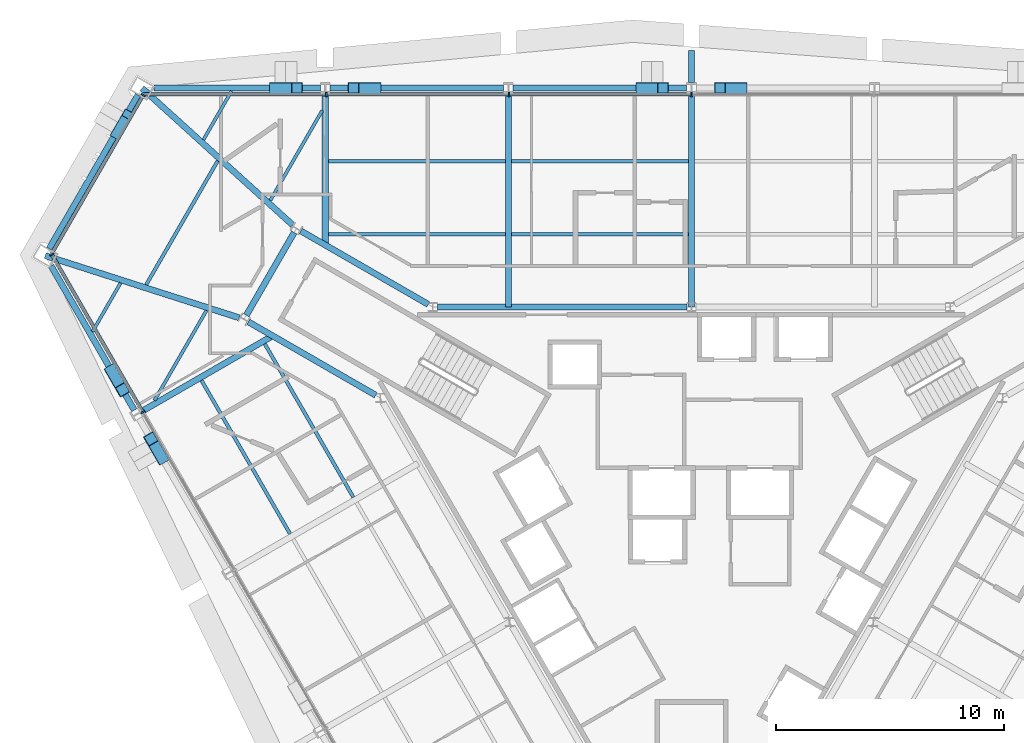
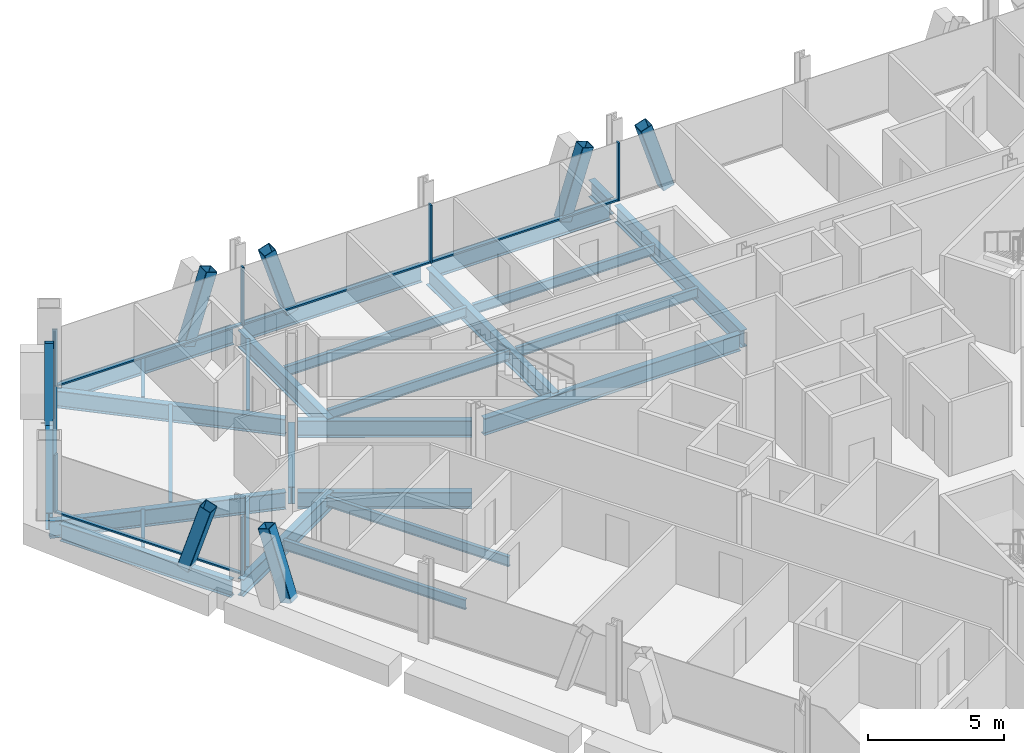
# One storey, part 6 of 16: 27 beams, 18 members, 3 elements without a shape of their own.
"""IFC4 building model written with IfcOpenShell, lengths in metres."""

from ifc_helpers import new_model, si_unit, direction, frame, origin, origin_2d, place, context, subcontext, project, spatial, rectangle, hollow_rectangle, i_section, extrude, material, material_profile, profile_set, type_object, element, aggregate, save


model = new_model("IFC4")

# Units and contexts
model_context = context("Model", 3, precision=1e-05, world=origin(), true_north=direction((0.0, 1.0)))
body_context = subcontext(model_context, "Body", "Model", "MODEL_VIEW")
ifc_project = project(units=[si_unit("LENGTHUNIT", "METRE"), si_unit("AREAUNIT", "SQUARE_METRE"), si_unit("VOLUMEUNIT", "CUBIC_METRE"), si_unit("PLANEANGLEUNIT", "RADIAN"), si_unit("MASSUNIT", "GRAM", prefix="KILO")], contexts=[model_context])

# Site, building, storey
site_placement = place(None, origin())
site = spatial("IfcSite", under=ifc_project, at=site_placement, CompositionType="ELEMENT")
building_placement = place(site_placement, origin())
building = spatial("IfcBuilding", under=site, at=building_placement, Name="Verrane Prism Tower", CompositionType="ELEMENT")
storey_placement = place(building_placement, frame((0.0, 0.0, 110.800048828125)))
storey = spatial("IfcBuildingStorey", under=building, at=storey_placement, Name="L26", CompositionType="ELEMENT", Elevation=110.800048828125)

# Member
ifc_material_1 = material(Name="Steel A500 Grade C", Category="steel")
ifc_material_profile_1 = material_profile(ifc_material_1, hollow_rectangle(XDim=0.355712890625, YDim=0.355712890625, WallThickness=0.0126953125, InnerFilletRadius=0.00634765625, OuterFilletRadius=0.01904296875, at=origin_2d()), Name="HSS14x14x1/2")
ifc_profile_set_1 = profile_set([ifc_material_profile_1], Name="Steel A500 Grade C")
member_type_1 = type_object("IfcMemberType", Name="Chamfer brace HSS14x14x1/2", PredefinedType="BRACE", material=ifc_profile_set_1)
member_1_placement = place(storey_placement, frame((-25.231201171875, 16.77978515625, -0.2451171875), z_axis=(0.159496476686, 0.276075302399, 0.947809738993), x_axis=(-0.865883682865, 0.500245387533, 0.0)))
element("IfcMember", 1, at=member_1_placement, inside=storey, type_object=member_type_1, Name="Chamfer brace NW0 L26", PredefinedType="BRACE", context=body_context, shape_type="SweptSolid", body=[
    extrude(hollow_rectangle(XDim=0.355712890625, YDim=0.355712890625, WallThickness=0.0126953125, InnerFilletRadius=0.00634765625, OuterFilletRadius=0.01904296875, at=origin_2d()), origin(), (0.0, 0.0, 1.0), 3.16845703125),
])

# Beams
ifc_material_2 = material(Name="Steel A992", Category="steel")
ifc_material_profile_2 = material_profile(ifc_material_2, i_section(OverallWidth=0.2666015625, OverallDepth=0.76708984375, WebThickness=0.014892578125, FlangeThickness=0.023681640625, FilletRadius=0.0166015625, at=origin_2d()), Name="W30x124")
ifc_profile_set_2 = profile_set([ifc_material_profile_2], Name="Steel A992")
beam_type_1 = type_object("IfcBeamType", Name="Chamfer spandrel beam W30x124", PredefinedType="SPANDREL", material=ifc_profile_set_2)
beam_1_placement = place(storey_placement, frame((-24.2451171875, 18.48681640625, -0.54345703125), z_axis=(-0.500214307011, -0.865901638214, 0.0), x_axis=(0.865901638214, -0.500214307011, 0.0)))
element("IfcBeam", 2, at=beam_1_placement, inside=storey, type_object=beam_type_1, Name="Chamfer spandrel beam L26", PredefinedType="SPANDREL", context=body_context, shape_type="SweptSolid", body=[
    extrude(i_section(OverallWidth=0.2666015625, OverallDepth=0.76708984375, WebThickness=0.014892578125, FlangeThickness=0.023681640625, FilletRadius=0.0166015625, at=origin_2d()), origin(), (0.0, 0.0, 1.0), 7.7763671875),
])
ifc_material_3 = material(Name="Steel A992", Category="steel")
ifc_material_profile_3 = material_profile(ifc_material_3, i_section(OverallWidth=0.2666015625, OverallDepth=0.7568359375, WebThickness=0.013916015625, FlangeThickness=0.019287109375, FilletRadius=0.0166015625, at=origin_2d()), Name="W30x108")
ifc_profile_set_3 = profile_set([ifc_material_profile_3], Name="Steel A992")
beam_type_2 = type_object("IfcBeamType", Name="Core ring girder W30x108", PredefinedType="BEAM", material=ifc_profile_set_3)
beam_2_placement = place(storey_placement, frame((-0.20068359375, 9.199951171875, -0.628662109375), z_axis=(-1.0, 0.0, 0.0), x_axis=(0.0, -1.0, 0.0)))
element("IfcBeam", 3, at=beam_2_placement, inside=storey, type_object=beam_type_2, Name="Core ring girder L26", PredefinedType="BEAM", context=body_context, shape_type="SweptSolid", body=[
    extrude(i_section(OverallWidth=0.2666015625, OverallDepth=0.7568359375, WebThickness=0.013916015625, FlangeThickness=0.019287109375, FilletRadius=0.0166015625, at=origin_2d()), origin(), (0.0, 0.0, 1.0), 10.9287109375),
])
beam_3_placement = place(storey_placement, frame((-11.53076171875, 9.315673828125, -0.628662109375), z_axis=(-0.866455532004, 0.499254254924, 0.0), x_axis=(-0.499254254924, -0.866455532004, 0.0)))
element("IfcBeam", 4, at=beam_3_placement, inside=storey, type_object=beam_type_2, Name="Core ring girder L26", PredefinedType="BEAM", context=body_context, shape_type="SweptSolid", body=[
    extrude(i_section(OverallWidth=0.2666015625, OverallDepth=0.7568359375, WebThickness=0.013916015625, FlangeThickness=0.019287109375, FilletRadius=0.0166015625, at=origin_2d()), origin(), (0.0, 0.0, 1.0), 6.441162109375),
])
beam_4_placement = place(storey_placement, frame((-17.40283203125, 12.4619140625, -0.628662109375), z_axis=(-0.500367003619, -0.865813410435, 0.0), x_axis=(0.865813410435, -0.500367003619, 0.0)))
element("IfcBeam", 5, at=beam_4_placement, inside=storey, type_object=beam_type_2, Name="Core ring girder L26", PredefinedType="BEAM", context=body_context, shape_type="SweptSolid", body=[
    extrude(i_section(OverallWidth=0.2666015625, OverallDepth=0.7568359375, WebThickness=0.013916015625, FlangeThickness=0.019287109375, FilletRadius=0.0166015625, at=origin_2d()), origin(), (0.0, 0.0, 1.0), 4.185302734375),
])
beam_5_placement = place(storey_placement, frame((-19.411865234375, 8.551513671875, -0.628662109375), z_axis=(0.866455532004, -0.499254254924, 0.0), x_axis=(0.499254254924, 0.866455532004, 0.0)))
element("IfcBeam", 6, at=beam_5_placement, inside=storey, type_object=beam_type_2, Name="Core ring girder L26", PredefinedType="BEAM", context=body_context, shape_type="SweptSolid", body=[
    extrude(i_section(OverallWidth=0.2666015625, OverallDepth=0.7568359375, WebThickness=0.013916015625, FlangeThickness=0.019287109375, FilletRadius=0.0166015625, at=origin_2d()), origin(), (0.0, 0.0, 1.0), 6.441162109375),
])
ifc_material_4 = material(Name="Steel A992", Category="steel")
ifc_material_profile_4 = material_profile(ifc_material_4, i_section(OverallWidth=0.2666015625, OverallDepth=0.76708984375, WebThickness=0.014892578125, FlangeThickness=0.023681640625, FilletRadius=0.0166015625, at=origin_2d()), Name="W30x124")
ifc_profile_set_4 = profile_set([ifc_material_profile_4], Name="Steel A992")
beam_type_3 = type_object("IfcBeamType", Name="Corner girder W30x124", PredefinedType="BEAM", material=ifc_profile_set_4)
beam_6_placement = place(storey_placement, frame((-24.068115234375, 18.788330078125, -0.603515625), z_axis=(0.740172818675, -0.67241668517, 0.0), x_axis=(0.67241668517, 0.740172818675, 0.0)))
element("IfcBeam", 7, at=beam_6_placement, inside=storey, type_object=beam_type_3, Name="Corner girder L26", PredefinedType="BEAM", context=body_context, shape_type="SweptSolid", body=[
    extrude(i_section(OverallWidth=0.2666015625, OverallDepth=0.76708984375, WebThickness=0.014892578125, FlangeThickness=0.023681640625, FilletRadius=0.0166015625, at=origin_2d()), origin(), (0.0, 0.0, 1.0), 8.921630859375),
])
beam_7_placement = place(storey_placement, frame((-28.3056640625, 11.448486328125, -0.603515625), z_axis=(0.952340206189, -0.305037918423, 0.0), x_axis=(0.305037918423, 0.952340206189, 0.0)))
element("IfcBeam", 8, at=beam_7_placement, inside=storey, type_object=beam_type_3, Name="Corner girder L26", PredefinedType="BEAM", context=body_context, shape_type="SweptSolid", body=[
    extrude(i_section(OverallWidth=0.2666015625, OverallDepth=0.76708984375, WebThickness=0.014892578125, FlangeThickness=0.023681640625, FilletRadius=0.0166015625, at=origin_2d()), origin(), (0.0, 0.0, 1.0), 8.919189453125),
])

# Members
ifc_material_5 = material(Name="Steel A1085 Grade A", Category="steel")
ifc_material_profile_5 = material_profile(ifc_material_5, hollow_rectangle(XDim=0.508056640625, YDim=0.508056640625, WallThickness=0.025390625, InnerFilletRadius=0.0126953125, OuterFilletRadius=0.0380859375, at=origin_2d()), Name="HSS20x20x1")
ifc_profile_set_5 = profile_set([ifc_material_profile_5], Name="Steel A1085 Grade A")
member_type_2 = type_object("IfcMemberType", Name="Facade brace HSS20x20x1", PredefinedType="BRACE", material=ifc_profile_set_5)
for number, where, z_axis, x_axis, name in (
    (9, (2.197265625, 18.7900390625, -0.24267578125), (-0.303229193565, 0.0, 0.952917654454), (0.0, -1.0, 0.0), "Facade brace N2 L26"),
    (10, (-2.197265625, 18.7900390625, -0.24267578125), (0.303229193565, 0.0, 0.952917654454), (0.0, 1.0, 0.0), "Facade brace N3 L26"),
    (11, (-13.8427734375, 18.7900390625, -0.24267578125), (-0.303229193565, 0.0, 0.952917654454), (0.0, -1.0, 0.0), "Facade brace N4 L26"),
):
    element("IfcMember", number, at=place(storey_placement, frame(where, z_axis=z_axis, x_axis=x_axis)), inside=storey, type_object=member_type_2, Name=name, PredefinedType="BRACE", context=body_context, shape_type="SweptSolid", body=[
        extrude(hollow_rectangle(XDim=0.508056640625, YDim=0.508056640625, WallThickness=0.025390625, InnerFilletRadius=0.0126953125, OuterFilletRadius=0.0380859375, at=origin_2d()), origin(), (0.0, 0.0, 1.0), 3.156982421875),
    ])
member_2_placement = place(storey_placement, frame((-18.239990234375, 18.7900390625, -0.24267578125), z_axis=(0.303580251273, 0.0, 0.952805872692), x_axis=(0.0, 1.0, 0.0)))
element("IfcMember", 12, at=member_2_placement, inside=storey, type_object=member_type_2, Name="Facade brace N5 L26", PredefinedType="BRACE", context=body_context, shape_type="SweptSolid", body=[
    extrude(hollow_rectangle(XDim=0.508056640625, YDim=0.508056640625, WallThickness=0.025390625, InnerFilletRadius=0.0126953125, OuterFilletRadius=0.0380859375, at=origin_2d()), origin(), (0.0, 0.0, 1.0), 3.1572265625),
])
member_3_placement = place(storey_placement, frame((-25.398681640625, 6.404052734375, -0.24267578125), z_axis=(0.151645245186, -0.262769272383, 0.952867267306), x_axis=(0.866117682712, 0.499840134137, 0.0)))
element("IfcMember", 13, at=member_3_placement, inside=storey, type_object=member_type_2, Name="Facade brace SW0 L26", PredefinedType="BRACE", context=body_context, shape_type="SweptSolid", body=[
    extrude(hollow_rectangle(XDim=0.508056640625, YDim=0.508056640625, WallThickness=0.025390625, InnerFilletRadius=0.0126953125, OuterFilletRadius=0.0380859375, at=origin_2d()), origin(), (0.0, 0.0, 1.0), 3.156982421875),
])
member_4_placement = place(storey_placement, frame((-23.198486328125, 2.595947265625, -0.24267578125), z_axis=(-0.152022973203, 0.262753846869, 0.952811330524), x_axis=(-0.865565771003, -0.500795263623, 0.0)))
element("IfcMember", 14, at=member_4_placement, inside=storey, type_object=member_type_2, Name="Facade brace SW1 L26", PredefinedType="BRACE", context=body_context, shape_type="SweptSolid", body=[
    extrude(hollow_rectangle(XDim=0.508056640625, YDim=0.508056640625, WallThickness=0.025390625, InnerFilletRadius=0.0126953125, OuterFilletRadius=0.0380859375, at=origin_2d()), origin(), (0.0, 0.0, 1.0), 3.1572265625),
])

# Beams
ifc_material_6 = material(Name="Steel A992", Category="steel")
ifc_material_profile_6 = material_profile(ifc_material_6, i_section(OverallWidth=0.140380859375, OverallDepth=0.40380859375, WebThickness=0.007080078125, FlangeThickness=0.01123046875, FilletRadius=0.01025390625, at=origin_2d()), Name="W16x31")
ifc_profile_set_6 = profile_set([ifc_material_profile_6], Name="Steel A992")
beam_type_4 = type_object("IfcBeamType", Name="Floor beam W16x31", PredefinedType="BEAM", material=ifc_profile_set_6)
beam_8_placement = place(storey_placement, frame((-18.4501953125, 13.864990234375, -0.362060546875), z_axis=(0.500008678503, 0.86602039319, 0.0), x_axis=(-0.86602039319, 0.500008678503, 0.0)))
element("IfcBeam", 15, at=beam_8_placement, inside=storey, type_object=beam_type_4, Name="Floor beam L26", PredefinedType="BEAM", context=body_context, shape_type="SweptSolid", body=[
    extrude(i_section(OverallWidth=0.140380859375, OverallDepth=0.40380859375, WebThickness=0.007080078125, FlangeThickness=0.01123046875, FilletRadius=0.01025390625, at=origin_2d()), origin(), (0.0, 0.0, 1.0), 4.55322265625),
])
beam_9_placement = place(storey_placement, frame((-21.37744140625, 16.5244140625, -0.362060546875), z_axis=(0.500000007376, 0.866025399526, 0.0), x_axis=(-0.866025399526, 0.500000007376, 0.0)))
element("IfcBeam", 16, at=beam_9_placement, inside=storey, type_object=beam_type_4, Name="Floor beam L26", PredefinedType="BEAM", context=body_context, shape_type="SweptSolid", body=[
    extrude(i_section(OverallWidth=0.140380859375, OverallDepth=0.40380859375, WebThickness=0.007080078125, FlangeThickness=0.01123046875, FilletRadius=0.01025390625, at=origin_2d()), origin(), (0.0, 0.0, 1.0), 2.4619140625),
])
beam_10_placement = place(storey_placement, frame((-23.5205078125, 5.104736328125, -0.362060546875), z_axis=(0.500004125498, 0.866023021914, 0.0), x_axis=(-0.866023021914, 0.500004125498, 0.0)))
element("IfcBeam", 17, at=beam_10_placement, inside=storey, type_object=beam_type_4, Name="Floor beam L26", PredefinedType="BEAM", context=body_context, shape_type="SweptSolid", body=[
    extrude(i_section(OverallWidth=0.140380859375, OverallDepth=0.40380859375, WebThickness=0.007080078125, FlangeThickness=0.01123046875, FilletRadius=0.01025390625, at=origin_2d()), origin(), (0.0, 0.0, 1.0), 4.5517578125),
])
beam_11_placement = place(storey_placement, frame((-26.23583984375, 8.122314453125, -0.362060546875), z_axis=(0.500026134388, 0.866010314562, 0.0), x_axis=(-0.866010314562, 0.500026134388, 0.0)))
element("IfcBeam", 18, at=beam_11_placement, inside=storey, type_object=beam_type_4, Name="Floor beam L26", PredefinedType="BEAM", context=body_context, shape_type="SweptSolid", body=[
    extrude(i_section(OverallWidth=0.140380859375, OverallDepth=0.40380859375, WebThickness=0.007080078125, FlangeThickness=0.01123046875, FilletRadius=0.01025390625, at=origin_2d()), origin(), (0.0, 0.0, 1.0), 2.458740234375),
])
ifc_material_7 = material(Name="Steel A992", Category="steel")
ifc_material_profile_7 = material_profile(ifc_material_7, i_section(OverallWidth=0.15234375, OverallDepth=0.449462890625, WebThickness=0.007568359375, FlangeThickness=0.0107421875, FilletRadius=0.01025390625, at=origin_2d()), Name="W18x35")
ifc_profile_set_7 = profile_set([ifc_material_profile_7], Name="Steel A992")
beam_type_5 = type_object("IfcBeamType", Name="Floor beam W18x35", PredefinedType="BEAM", material=ifc_profile_set_7)
for number, where, z_axis, x_axis, name in (
    (19, (-7.886474609375, 12.396728515625, -0.384765625), (1.0, 0.0, 0.0), (0.0, 1.0, 0.0), "Floor beam L26"),
    (20, (-7.886474609375, 15.59326171875, -0.384765625), (1.0, 0.0, 0.0), (0.0, 1.0, 0.0), "Floor beam L26"),
    (21, (-15.906494140625, 12.396728515625, -0.384765625), (1.0, 0.0, 0.0), (0.0, 1.0, 0.0), "Floor beam L26"),
    (22, (-15.906494140625, 15.59326171875, -0.384765625), (1.0, 0.0, 0.0), (0.0, 1.0, 0.0), "Floor beam L26"),
):
    element("IfcBeam", number, at=place(storey_placement, frame(where, z_axis=z_axis, x_axis=x_axis)), inside=storey, type_object=beam_type_5, Name=name, PredefinedType="BEAM", context=body_context, shape_type="SweptSolid", body=[
        extrude(i_section(OverallWidth=0.15234375, OverallDepth=0.449462890625, WebThickness=0.007568359375, FlangeThickness=0.0107421875, FilletRadius=0.01025390625, at=origin_2d()), origin(), (0.0, 0.0, 1.0), 7.7529296875),
    ])
beam_12_placement = place(storey_placement, frame((-14.80859375, 0.864501953125, -0.384765625), z_axis=(-0.500014594887, 0.866016977259, 0.0), x_axis=(-0.866016977259, -0.500014594887, 0.0)))
element("IfcBeam", 23, at=beam_12_placement, inside=storey, type_object=beam_type_5, Name="Floor beam L26", PredefinedType="BEAM", context=body_context, shape_type="SweptSolid", body=[
    extrude(i_section(OverallWidth=0.15234375, OverallDepth=0.449462890625, WebThickness=0.007568359375, FlangeThickness=0.0107421875, FilletRadius=0.01025390625, at=origin_2d()), origin(), (0.0, 0.0, 1.0), 7.764404296875),
])
beam_13_placement = place(storey_placement, frame((-17.58056640625, -0.736572265625, -0.384765625), z_axis=(-0.499974721637, 0.866039997762, 0.0), x_axis=(-0.866039997762, -0.499974721637, 0.0)))
element("IfcBeam", 24, at=beam_13_placement, inside=storey, type_object=beam_type_5, Name="Floor beam L26", PredefinedType="BEAM", context=body_context, shape_type="SweptSolid", body=[
    extrude(i_section(OverallWidth=0.15234375, OverallDepth=0.449462890625, WebThickness=0.007568359375, FlangeThickness=0.0107421875, FilletRadius=0.01025390625, at=origin_2d()), origin(), (0.0, 0.0, 1.0), 7.76318359375),
])
beam_14_placement = place(storey_placement, frame((-23.8857421875, 10.173095703125, -0.384765625), z_axis=(0.50001262068, 0.866018117109, 0.0), x_axis=(-0.866018117109, 0.50001262068, 0.0)))
element("IfcBeam", 25, at=beam_14_placement, inside=storey, type_object=beam_type_5, Name="Floor beam L26", PredefinedType="BEAM", context=body_context, shape_type="SweptSolid", body=[
    extrude(i_section(OverallWidth=0.15234375, OverallDepth=0.449462890625, WebThickness=0.007568359375, FlangeThickness=0.0107421875, FilletRadius=0.01025390625, at=origin_2d()), origin(), (0.0, 0.0, 1.0), 6.263427734375),
])

# Curtain wall, members
ifc_material_8 = material(Name="Aluminium framed insulated glazing", Category="aluminium")
curtain_wall_type = type_object("IfcCurtainWallType", Name="Curtain wall CW-A 8400 module", PredefinedType="NOTDEFINED", material=ifc_material_8)
curtain_wall_1_placement = place(storey_placement, origin())
curtain_wall_1 = element("IfcCurtainWall", 26, at=curtain_wall_1_placement, inside=storey, type_object=curtain_wall_type, Name="Glazed curtain wall north face L26", PredefinedType="NOTDEFINED")
ifc_material_9 = material(Name="Aluminium alloy 6063-T6", Category="aluminium")
ifc_material_profile_8 = material_profile(ifc_material_9, rectangle(XDim=0.199951171875, YDim=0.070068359375, at=origin_2d()), Name="Mullion 70x200 aluminium")
ifc_profile_set_8 = profile_set([ifc_material_profile_8], Name="Aluminium alloy 6063-T6")
member_type_3 = type_object("IfcMemberType", Name="Mullion 70x200 aluminium", PredefinedType="MULLION", material=ifc_profile_set_8)
member_5_placement = place(storey_placement, frame((0.0, 18.510986328125, 0.0), z_axis=(0.0, 0.0, 1.0), x_axis=(0.0, -1.0, 0.0)))
member_5 = element("IfcMember", 27, at=member_5_placement, type_object=member_type_3, Name="CW24.2 mullion 4", PredefinedType="MULLION", context=body_context, shape_type="SweptSolid", body=[
    extrude(rectangle(XDim=0.199951171875, YDim=0.070068359375, at=origin_2d()), origin(), (0.0, 0.0, 1.0), 2.61279296875),
])
member_6_placement = place(storey_placement, frame((-7.998046875, 18.510986328125, 0.0), z_axis=(0.0, 0.0, 1.0), x_axis=(0.0, -1.0, 0.0)))
member_6 = element("IfcMember", 28, at=member_6_placement, type_object=member_type_3, Name="CW24.2 mullion 5", PredefinedType="MULLION", context=body_context, shape_type="SweptSolid", body=[
    extrude(rectangle(XDim=0.199951171875, YDim=0.070068359375, at=origin_2d()), origin(), (0.0, 0.0, 1.0), 2.61279296875),
])
member_7_placement = place(storey_placement, frame((-15.99609375, 18.510986328125, 0.0), z_axis=(0.0, 0.0, 1.0), x_axis=(0.0, -1.0, 0.0)))
member_7 = element("IfcMember", 29, at=member_7_placement, type_object=member_type_3, Name="CW24.2 mullion 6", PredefinedType="MULLION", context=body_context, shape_type="SweptSolid", body=[
    extrude(rectangle(XDim=0.199951171875, YDim=0.070068359375, at=origin_2d()), origin(), (0.0, 0.0, 1.0), 2.61279296875),
])

# Curtain wall, member
curtain_wall_2_placement = place(storey_placement, origin())
curtain_wall_2 = element("IfcCurtainWall", 30, at=curtain_wall_2_placement, inside=storey, type_object=curtain_wall_type, Name="Glazed curtain wall north-west corner L26", PredefinedType="NOTDEFINED")
member_8_placement = place(storey_placement, frame((-24.01171875, 18.480712890625, 0.0), z_axis=(0.0, 0.0, 1.0), x_axis=(0.866027890405, -0.499995693021, 0.0)))
member_8 = element("IfcMember", 31, at=member_8_placement, type_object=member_type_3, Name="CW24.3 mullion 1", PredefinedType="MULLION", context=body_context, shape_type="SweptSolid", body=[
    extrude(rectangle(XDim=0.199951171875, YDim=0.070068359375, at=origin_2d()), origin(), (0.0, 0.0, 1.0), 2.61279296875),
])

# Curtain wall, members
curtain_wall_3_placement = place(storey_placement, origin())
curtain_wall_3 = element("IfcCurtainWall", 32, at=curtain_wall_3_placement, inside=storey, type_object=curtain_wall_type, Name="Glazed curtain wall south-west face L26", PredefinedType="NOTDEFINED")
member_9_placement = place(storey_placement, frame((-28.010498046875, 11.49365234375, 0.0), z_axis=(0.0, 0.0, 1.0), x_axis=(0.866025402318, 0.500000002539, 0.0)))
member_9 = element("IfcMember", 33, at=member_9_placement, type_object=member_type_3, Name="CW24.4 mullion 1", PredefinedType="MULLION", context=body_context, shape_type="SweptSolid", body=[
    extrude(rectangle(XDim=0.199951171875, YDim=0.070068359375, at=origin_2d()), origin(), (0.0, 0.0, 1.0), 2.61279296875),
])
member_10_placement = place(storey_placement, frame((-24.029052734375, 4.597412109375, 0.0), z_axis=(0.0, 0.0, 1.0), x_axis=(0.866025402318, 0.500000002539, 0.0)))
member_10 = element("IfcMember", 34, at=member_10_placement, type_object=member_type_3, Name="CW24.4 mullion 2", PredefinedType="MULLION", context=body_context, shape_type="SweptSolid", body=[
    extrude(rectangle(XDim=0.199951171875, YDim=0.070068359375, at=origin_2d()), origin(), (0.0, 0.0, 1.0), 2.61279296875),
])

# Beams
ifc_material_10 = material(Name="Steel A992", Category="steel")
ifc_material_profile_9 = material_profile(ifc_material_10, i_section(OverallWidth=0.2666015625, OverallDepth=0.76708984375, WebThickness=0.014892578125, FlangeThickness=0.023681640625, FilletRadius=0.0166015625, at=origin_2d()), Name="W30x124")
ifc_profile_set_9 = profile_set([ifc_material_profile_9], Name="Steel A992")
beam_type_6 = type_object("IfcBeamType", Name="Radial girder W30x124", PredefinedType="BEAM", material=ifc_profile_set_9)
for number, where, z_axis, x_axis, name in (
    (35, (0.0, 18.552490234375, -0.603515625), (0.0, -1.0, 0.0), (1.0, 0.0, 0.0), "Radial girder L26"),
    (36, (-8.02001953125, 18.552490234375, -0.603515625), (0.0, -1.0, 0.0), (1.0, 0.0, 0.0), "Radial girder L26"),
):
    element("IfcBeam", number, at=place(storey_placement, frame(where, z_axis=z_axis, x_axis=x_axis)), inside=storey, type_object=beam_type_6, Name=name, PredefinedType="BEAM", context=body_context, shape_type="SweptSolid", body=[
        extrude(i_section(OverallWidth=0.2666015625, OverallDepth=0.76708984375, WebThickness=0.014892578125, FlangeThickness=0.023681640625, FilletRadius=0.0166015625, at=origin_2d()), origin(), (0.0, 0.0, 1.0), 9.3525390625),
    ])
beam_15_placement = place(storey_placement, frame((-16.0400390625, 18.552490234375, -0.603515625), z_axis=(0.0, -1.0, 0.0), x_axis=(1.0, 0.0, 0.0)))
element("IfcBeam", 37, at=beam_15_placement, inside=storey, type_object=beam_type_6, Name="Radial girder L26", PredefinedType="BEAM", context=body_context, shape_type="SweptSolid", body=[
    extrude(i_section(OverallWidth=0.2666015625, OverallDepth=0.76708984375, WebThickness=0.014892578125, FlangeThickness=0.023681640625, FilletRadius=0.0166015625, at=origin_2d()), origin(), (0.0, 0.0, 1.0), 6.638427734375),
])
beam_16_placement = place(storey_placement, frame((-24.09423828125, 4.61865234375, -0.603515625), z_axis=(0.866011622103, 0.500023869813, 0.0), x_axis=(-0.500023869813, 0.866011622103, 0.0)))
element("IfcBeam", 38, at=beam_16_placement, inside=storey, type_object=beam_type_6, Name="Radial girder L26", PredefinedType="BEAM", context=body_context, shape_type="SweptSolid", body=[
    extrude(i_section(OverallWidth=0.2666015625, OverallDepth=0.76708984375, WebThickness=0.014892578125, FlangeThickness=0.023681640625, FilletRadius=0.0166015625, at=origin_2d()), origin(), (0.0, 0.0, 1.0), 6.637451171875),
])
beam_17_placement = place(storey_placement, frame((0.0, 19.0234375, -0.603515625), z_axis=(0.0, 1.0, 0.0), x_axis=(-1.0, 0.0, 0.0)))
element("IfcBeam", 39, at=beam_17_placement, inside=storey, type_object=beam_type_6, Name="Cantilever girder L26", PredefinedType="BEAM", context=body_context, shape_type="SweptSolid", body=[
    extrude(i_section(OverallWidth=0.2666015625, OverallDepth=0.76708984375, WebThickness=0.014892578125, FlangeThickness=0.023681640625, FilletRadius=0.0166015625, at=origin_2d()), origin(), (0.0, 0.0, 1.0), 1.42041015625),
])
ifc_material_11 = material(Name="Steel A992", Category="steel")
ifc_material_profile_10 = material_profile(ifc_material_11, i_section(OverallWidth=0.2666015625, OverallDepth=0.7568359375, WebThickness=0.013916015625, FlangeThickness=0.019287109375, FilletRadius=0.0166015625, at=origin_2d()), Name="W30x108")
ifc_profile_set_10 = profile_set([ifc_material_profile_10], Name="Steel A992")
beam_type_7 = type_object("IfcBeamType", Name="Spandrel beam W30x108", PredefinedType="SPANDREL", material=ifc_profile_set_10)
for number, where, z_axis, x_axis, name in (
    (40, (-0.212158203125, 18.7900390625, -0.53857421875), (-1.0, 0.0, 0.0), (0.0, -1.0, 0.0), "Spandrel beam L26"),
    (41, (-8.232177734375, 18.7900390625, -0.53857421875), (-1.0, 0.0, 0.0), (0.0, -1.0, 0.0), "Spandrel beam L26"),
):
    element("IfcBeam", number, at=place(storey_placement, frame(where, z_axis=z_axis, x_axis=x_axis)), inside=storey, type_object=beam_type_7, Name=name, PredefinedType="SPANDREL", context=body_context, shape_type="SweptSolid", body=[
        extrude(i_section(OverallWidth=0.2666015625, OverallDepth=0.7568359375, WebThickness=0.013916015625, FlangeThickness=0.019287109375, FilletRadius=0.0166015625, at=origin_2d()), origin(), (0.0, 0.0, 1.0), 7.595703125),
    ])
beam_18_placement = place(storey_placement, frame((-16.252197265625, 18.7900390625, -0.53857421875), z_axis=(-1.0, 0.0, 0.0), x_axis=(0.0, -1.0, 0.0)))
element("IfcBeam", 42, at=beam_18_placement, inside=storey, type_object=beam_type_7, Name="Spandrel beam L26", PredefinedType="SPANDREL", context=body_context, shape_type="SweptSolid", body=[
    extrude(i_section(OverallWidth=0.2666015625, OverallDepth=0.7568359375, WebThickness=0.013916015625, FlangeThickness=0.019287109375, FilletRadius=0.0166015625, at=origin_2d()), origin(), (0.0, 0.0, 1.0), 7.298095703125),
])
beam_19_placement = place(storey_placement, frame((-28.05029296875, 11.0, -0.53857421875), z_axis=(0.499743707602, -0.866173323713, 0.0), x_axis=(0.866173323713, 0.499743707602, 0.0)))
element("IfcBeam", 43, at=beam_19_placement, inside=storey, type_object=beam_type_7, Name="Spandrel beam L26", PredefinedType="SPANDREL", context=body_context, shape_type="SweptSolid", body=[
    extrude(i_section(OverallWidth=0.2666015625, OverallDepth=0.7568359375, WebThickness=0.013916015625, FlangeThickness=0.019287109375, FilletRadius=0.0166015625, at=origin_2d()), origin(), (0.0, 0.0, 1.0), 7.292236328125),
])

# Member
ifc_material_12 = material(Name="Aluminium alloy 6063-T6", Category="aluminium")
ifc_material_profile_11 = material_profile(ifc_material_12, rectangle(XDim=0.14990234375, YDim=0.070068359375, at=origin_2d()), Name="Transom 70x150 aluminium")
ifc_profile_set_11 = profile_set([ifc_material_profile_11], Name="Aluminium alloy 6063-T6")
member_type_4 = type_object("IfcMemberType", Name="Transom 70x150 aluminium", PredefinedType="USERDEFINED", material=ifc_profile_set_11)
member_11_placement = place(storey_placement, frame((-0.034912109375, 18.510986328125, 0.034912109375), z_axis=(-1.0, 0.0, 0.0), x_axis=(0.0, -1.0, 0.0)))
member_11 = element("IfcMember", 44, at=member_11_placement, type_object=member_type_4, Name="CW24.2 transom 4", ObjectType="TRANSOM", PredefinedType="USERDEFINED", context=body_context, shape_type="SweptSolid", body=[
    extrude(rectangle(XDim=0.14990234375, YDim=0.070068359375, at=origin_2d()), origin(), (0.0, 0.0, 1.0), 7.92822265625),
])

member_12_placement = place(storey_placement, frame((-8.032958984375, 18.510986328125, 0.034912109375), z_axis=(-1.0, 0.0, 0.0), x_axis=(0.0, -1.0, 0.0)))
member_12 = element("IfcMember", 45, at=member_12_placement, type_object=member_type_4, Name="CW24.2 transom 5", ObjectType="TRANSOM", PredefinedType="USERDEFINED", context=body_context, shape_type="SweptSolid", body=[
    extrude(rectangle(XDim=0.14990234375, YDim=0.070068359375, at=origin_2d()), origin(), (0.0, 0.0, 1.0), 7.92822265625),
])

member_13_placement = place(storey_placement, frame((-16.031005859375, 18.510986328125, 0.034912109375), z_axis=(-1.0, 0.0, 0.0), x_axis=(0.0, -1.0, 0.0)))
member_13 = element("IfcMember", 46, at=member_13_placement, type_object=member_type_4, Name="CW24.2 transom 6", ObjectType="TRANSOM", PredefinedType="USERDEFINED", context=body_context, shape_type="SweptSolid", body=[
    extrude(rectangle(XDim=0.14990234375, YDim=0.070068359375, at=origin_2d()), origin(), (0.0, 0.0, 1.0), 7.963134765625),
])

aggregate(curtain_wall_1, [member_5, member_6, member_7, member_11, member_12, member_13])

member_14_placement = place(storey_placement, frame((-24.029052734375, 18.450439453125, 0.034912109375), z_axis=(-0.499999897272, -0.866025463095, 0.0), x_axis=(0.866025463095, -0.499999897272, 0.0)))
member_14 = element("IfcMember", 47, at=member_14_placement, type_object=member_type_4, Name="CW24.3 transom 1", ObjectType="TRANSOM", PredefinedType="USERDEFINED", context=body_context, shape_type="SweptSolid", body=[
    extrude(rectangle(XDim=0.14990234375, YDim=0.070068359375, at=origin_2d()), origin(), (0.0, 0.0, 1.0), 7.998046875),
])

aggregate(curtain_wall_2, [member_8, member_14])

member_15_placement = place(storey_placement, frame((-27.992919921875, 11.46337890625, 0.034912109375), z_axis=(0.500008053694, -0.866020753932, 0.0), x_axis=(0.866020753932, 0.500008053694, 0.0)))
member_15 = element("IfcMember", 48, at=member_15_placement, type_object=member_type_4, Name="CW24.4 transom 1", ObjectType="TRANSOM", PredefinedType="USERDEFINED", context=body_context, shape_type="SweptSolid", body=[
    extrude(rectangle(XDim=0.14990234375, YDim=0.070068359375, at=origin_2d()), origin(), (0.0, 0.0, 1.0), 7.892822265625),
])

aggregate(curtain_wall_3, [member_9, member_10, member_15])

save(model, "model.ifc")
